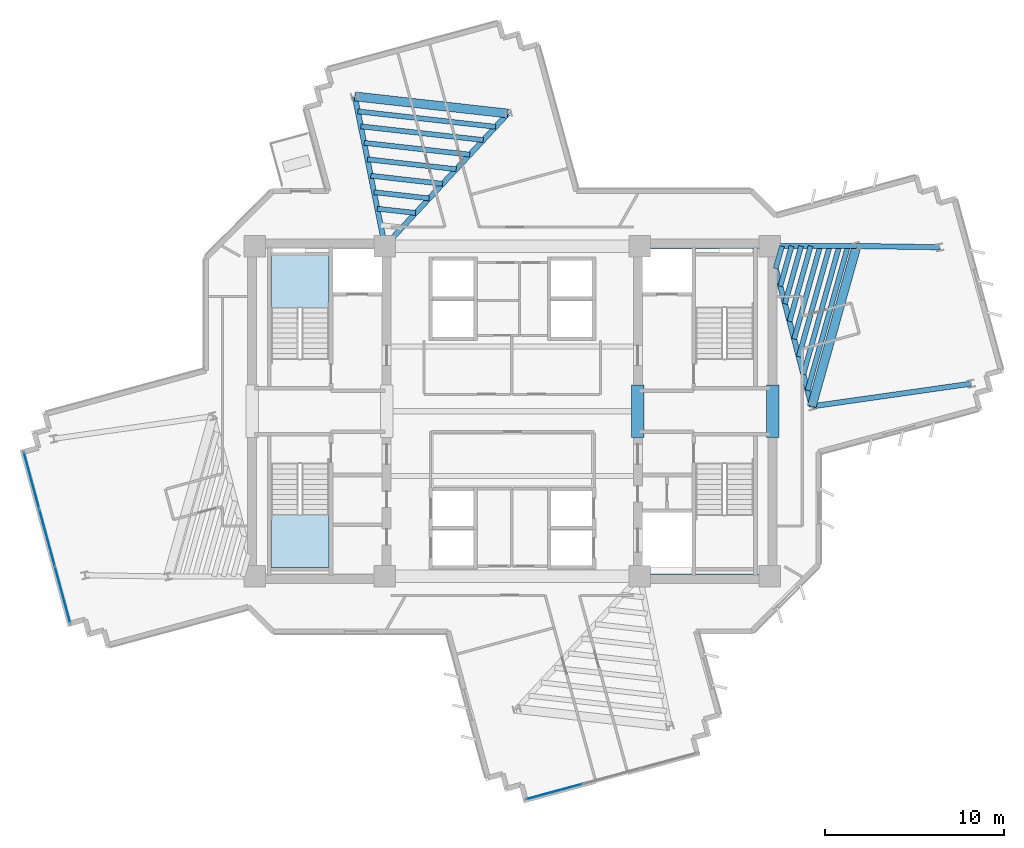
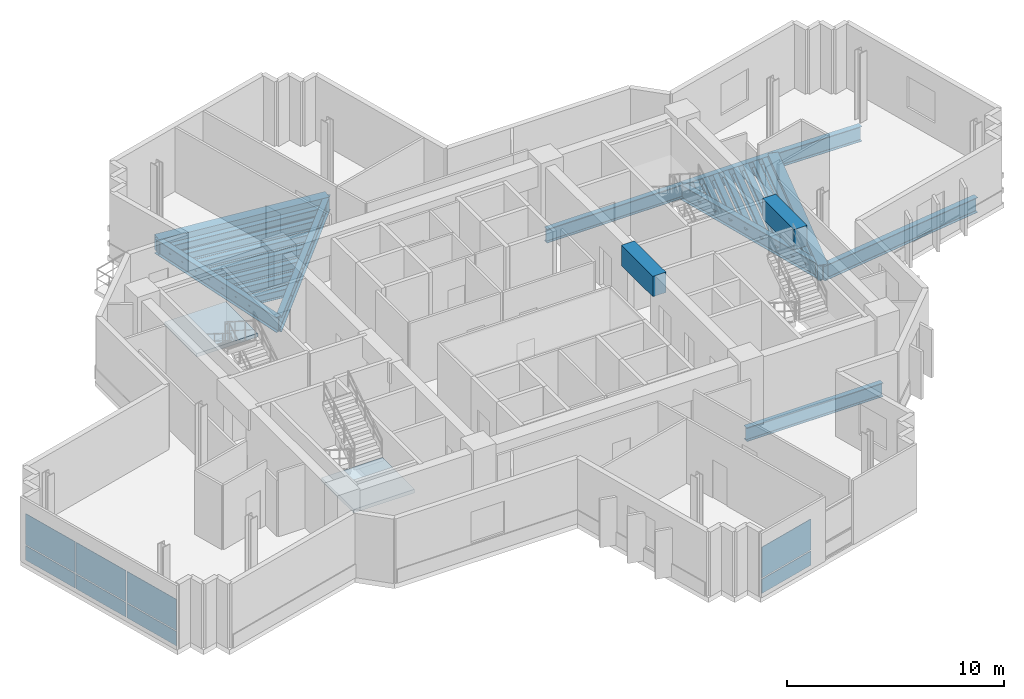
# One storey, part 6 of 15: 27 beams, 8 plates, 2 slabs, 4 elements without a shape of their own.
"""IFC4 building model written with IfcOpenShell, lengths in metres."""

from ifc_helpers import new_model, si_unit, direction, frame, origin, origin_2d, place, context, subcontext, project, spatial, polyline, rectangle, i_section, outline, extrude, source, transform, mapped, material, layer, layer_set, material_profile, profile_set, type_object, element, aggregate, save


model = new_model("IFC4")

# Units and contexts
model_context = context("Model", 3, precision=1e-05, world=origin(), true_north=direction((0.0, 1.0)))
body_context = subcontext(model_context, "Body", "Model", "MODEL_VIEW")
ifc_project = project(units=[si_unit("LENGTHUNIT", "METRE"), si_unit("AREAUNIT", "SQUARE_METRE"), si_unit("VOLUMEUNIT", "CUBIC_METRE"), si_unit("PLANEANGLEUNIT", "RADIAN"), si_unit("MASSUNIT", "GRAM", prefix="KILO")], contexts=[model_context])

# Site, building, storey
site_placement = place(None, origin())
site = spatial("IfcSite", under=ifc_project, at=site_placement, CompositionType="ELEMENT")
building_placement = place(site_placement, origin())
building = spatial("IfcBuilding", under=site, at=building_placement, Name="Zahravan Cultural Tower", CompositionType="ELEMENT")
storey_placement = place(building_placement, frame((0.0, 0.0, 194.10009765625)))
storey = spatial("IfcBuildingStorey", under=building, at=storey_placement, Name="L45", CompositionType="ELEMENT", Elevation=194.10009765625)

# Beams
ifc_material_1 = material(Name="Concrete C50/60", Category="concrete")
ifc_material_profile_1 = material_profile(ifc_material_1, rectangle(XDim=0.699951171875, YDim=1.14990234375, at=origin_2d()), Name="RC700X1150")
ifc_profile_set_1 = profile_set([ifc_material_profile_1], Name="Concrete C50/60")
beam_type_1 = type_object("IfcBeamType", Name="BM-LN-RC700X1150", PredefinedType="LINTEL", material=ifc_profile_set_1)
shared_shape_1 = source(origin(), body_context, "Body", "SweptSolid", [
    extrude(rectangle(XDim=0.699951171875, YDim=1.14990234375, at=origin_2d()), origin(), (0.0, 0.0, 1.0), 2.89990234375),
])
for number, where, z_axis, x_axis, name in (
    (1, (43.0, 25.550048828125, 3.044921875), (0.0, 1.0, 0.0), (-1.0, 0.0, 0.0), "L45 Beam LN-L45-PEW"),
    (2, (50.5, 25.550048828125, 3.044921875), (0.0, 1.0, 0.0), (-1.0, 0.0, 0.0), "L45 Beam LN-L45-PEE"),
):
    element("IfcBeam", number, at=place(storey_placement, frame(where, z_axis=z_axis, x_axis=x_axis)), inside=storey, type_object=beam_type_1, Name=name, PredefinedType="LINTEL", context=body_context, shape_type="MappedRepresentation", body=[
        mapped(shared_shape_1, transform((0.0, 0.0, 0.0), x_axis=(1.0, 0.0, 0.0), y_axis=(0.0, 1.0, 0.0), z_axis=(0.0, 0.0, 1.0), scale=1.0)),
    ])
ifc_material_2 = material(Name="Steel ASTM A992 Grade 50", Category="steel")
ifc_material_profile_2 = material_profile(ifc_material_2, i_section(OverallWidth=0.26611328125, OverallDepth=0.780029296875, WebThickness=0.0166015625, FlangeThickness=0.030029296875, FilletRadius=0.01904296875, at=origin_2d()), Name="W30X148")
ifc_profile_set_2 = profile_set([ifc_material_profile_2], Name="Steel ASTM A992 Grade 50")
beam_type_2 = type_object("IfcBeamType", Name="BM-G-W30X148", PredefinedType="BEAM", material=ifc_profile_set_2)
shared_shape_2 = source(origin(), body_context, "Body", "SweptSolid", [
    extrude(i_section(OverallWidth=0.26611328125, OverallDepth=0.780029296875, WebThickness=0.0166015625, FlangeThickness=0.030029296875, FilletRadius=0.01904296875, at=origin_2d()), origin(), (0.0, 0.0, 1.0), 7.25),
])
for number, where, z_axis, x_axis, name in (
    (3, (43.10009765625, 17.800048828125, -0.670166015625), (1.0, 0.0, 0.0), (0.0, 1.0, 0.0), "L45 Beam BG-L45-04"),
    (4, (43.10009765625, 36.199951171875, -0.670166015625), (1.0, 0.0, 0.0), (0.0, 1.0, 0.0), "L45 Beam BG-L45-05"),
):
    element("IfcBeam", number, at=place(storey_placement, frame(where, z_axis=z_axis, x_axis=x_axis)), inside=storey, type_object=beam_type_2, Name=name, PredefinedType="BEAM", context=body_context, shape_type="MappedRepresentation", body=[
        mapped(shared_shape_2, transform((0.0, 0.0, 0.0), x_axis=(1.0, 0.0, 0.0), y_axis=(0.0, 1.0, 0.0), z_axis=(0.0, 0.0, 1.0), scale=1.0)),
    ])
ifc_material_profile_3 = material_profile(ifc_material_1, rectangle(XDim=0.5, YDim=0.85009765625, at=origin_2d()), Name="RC500X850")
ifc_profile_set_3 = profile_set([ifc_material_profile_3], Name="Concrete C50/60")
beam_type_3 = type_object("IfcBeamType", Name="BM-SP-RC500X850", PredefinedType="SPANDREL", material=ifc_profile_set_3)
shared_shape_3 = source(origin(), body_context, "Body", "SweptSolid", [
    extrude(rectangle(XDim=0.5, YDim=0.85009765625, at=origin_2d()), origin(), (0.0, 0.0, 1.0), 9.2783203125),
])
beam_1_placement = place(storey_placement, frame((52.684326171875, 27.27099609375, -0.705078125), z_axis=(0.269497187032, 0.963001176625, 0.0), x_axis=(-0.963001176625, 0.269497187032, 0.0)))
element("IfcBeam", 5, at=beam_1_placement, inside=storey, type_object=beam_type_3, Name="L45 Beam SP-L45-21", PredefinedType="SPANDREL", context=body_context, shape_type="MappedRepresentation", body=[
    mapped(shared_shape_3, transform((0.0, 0.0, 0.0), x_axis=(1.0, 0.0, 0.0), y_axis=(0.0, 1.0, 0.0), z_axis=(0.0, 0.0, 1.0), scale=1.0)),
])
shared_shape_4 = source(origin(), body_context, "Body", "SweptSolid", [
    extrude(rectangle(XDim=0.5, YDim=0.85009765625, at=origin_2d()), origin(), (0.0, 0.0, 1.0), 8.579833984375),
])
beam_2_placement = place(storey_placement, frame((35.754638671875, 43.587646484375, -0.705078125), z_axis=(-0.9938040105, 0.11114669907, 0.0), x_axis=(-0.11114669907, -0.9938040105, 0.0)))
element("IfcBeam", 6, at=beam_2_placement, inside=storey, type_object=beam_type_3, Name="L45 Beam SP-L45-22", PredefinedType="SPANDREL", context=body_context, shape_type="MappedRepresentation", body=[
    mapped(shared_shape_4, transform((0.0, 0.0, 0.0), x_axis=(1.0, 0.0, 0.0), y_axis=(0.0, 1.0, 0.0), z_axis=(0.0, 0.0, 1.0), scale=1.0)),
])
ifc_material_profile_4 = material_profile(ifc_material_2, i_section(OverallWidth=0.29296875, OverallDepth=0.845947265625, WebThickness=0.015380859375, FlangeThickness=0.0244140625, FilletRadius=0.02001953125, at=origin_2d()), Name="W33X141")
ifc_profile_set_4 = profile_set([ifc_material_profile_4], Name="Steel ASTM A992 Grade 50")
beam_type_4 = type_object("IfcBeamType", Name="BM-G-W33X141", PredefinedType="BEAM", material=ifc_profile_set_4)
shared_shape_5 = source(origin(), body_context, "Body", "SweptSolid", [
    extrude(i_section(OverallWidth=0.29296875, OverallDepth=0.845947265625, WebThickness=0.015380859375, FlangeThickness=0.0244140625, FilletRadius=0.02001953125, at=origin_2d()), origin(), (0.0, 0.0, 1.0), 9.22900390625),
])
beam_3_placement = place(storey_placement, frame((50.35009765625, 36.199951171875, -0.703125), z_axis=(0.252922608408, -0.967486513682, 0.0), x_axis=(0.967486513682, 0.252922608408, 0.0)))
element("IfcBeam", 7, at=beam_3_placement, inside=storey, type_object=beam_type_4, Name="L45 Beam BG-L45-11", PredefinedType="BEAM", context=body_context, shape_type="MappedRepresentation", body=[
    mapped(shared_shape_5, transform((0.0, 0.0, 0.0), x_axis=(1.0, 0.0, 0.0), y_axis=(0.0, 1.0, 0.0), z_axis=(0.0, 0.0, 1.0), scale=1.0)),
])
shared_shape_6 = source(origin(), body_context, "Body", "SweptSolid", [
    extrude(i_section(OverallWidth=0.29296875, OverallDepth=0.845947265625, WebThickness=0.015380859375, FlangeThickness=0.0244140625, FilletRadius=0.02001953125, at=origin_2d()), origin(), (0.0, 0.0, 1.0), 4.834716796875),
])
beam_4_placement = place(storey_placement, frame((50.35009765625, 36.199951171875, -0.703125), z_axis=(0.99999920313, 0.001262433979, 0.0), x_axis=(-0.001262433979, 0.99999920313, 0.0)))
element("IfcBeam", 8, at=beam_4_placement, inside=storey, type_object=beam_type_4, Name="L45 Beam BG-L45-12", PredefinedType="BEAM", context=body_context, shape_type="MappedRepresentation", body=[
    mapped(shared_shape_6, transform((0.0, 0.0, 0.0), x_axis=(1.0, 0.0, 0.0), y_axis=(0.0, 1.0, 0.0), z_axis=(0.0, 0.0, 1.0), scale=1.0)),
])
shared_shape_7 = source(origin(), body_context, "Body", "SweptSolid", [
    extrude(i_section(OverallWidth=0.29296875, OverallDepth=0.845947265625, WebThickness=0.015380859375, FlangeThickness=0.0244140625, FilletRadius=0.02001953125, at=origin_2d()), origin(), (0.0, 0.0, 1.0), 10.077880859375),
])
beam_5_placement = place(storey_placement, frame((28.89990234375, 36.199951171875, -0.703125), z_axis=(0.680170435587, 0.733054007938, 0.0), x_axis=(-0.733054007938, 0.680170435587, 0.0)))
element("IfcBeam", 9, at=beam_5_placement, inside=storey, type_object=beam_type_4, Name="L45 Beam BG-L45-13", PredefinedType="BEAM", context=body_context, shape_type="MappedRepresentation", body=[
    mapped(shared_shape_7, transform((0.0, 0.0, 0.0), x_axis=(1.0, 0.0, 0.0), y_axis=(0.0, 1.0, 0.0), z_axis=(0.0, 0.0, 1.0), scale=1.0)),
])
shared_shape_8 = source(origin(), body_context, "Body", "SweptSolid", [
    extrude(i_section(OverallWidth=0.29296875, OverallDepth=0.845947265625, WebThickness=0.015380859375, FlangeThickness=0.0244140625, FilletRadius=0.02001953125, at=origin_2d()), origin(), (0.0, 0.0, 1.0), 8.50732421875),
])
beam_6_placement = place(storey_placement, frame((28.89990234375, 36.199951171875, -0.703125), z_axis=(-0.196524514012, 0.980498911469, 0.0), x_axis=(-0.980498911469, -0.196524514012, 0.0)))
element("IfcBeam", 10, at=beam_6_placement, inside=storey, type_object=beam_type_4, Name="L45 Beam BG-L45-14", PredefinedType="BEAM", context=body_context, shape_type="MappedRepresentation", body=[
    mapped(shared_shape_8, transform((0.0, 0.0, 0.0), x_axis=(1.0, 0.0, 0.0), y_axis=(0.0, 1.0, 0.0), z_axis=(0.0, 0.0, 1.0), scale=1.0)),
])
shared_shape_9 = source(origin(), body_context, "Body", "SweptSolid", [
    extrude(i_section(OverallWidth=0.29296875, OverallDepth=0.845947265625, WebThickness=0.015380859375, FlangeThickness=0.0244140625, FilletRadius=0.02001953125, at=origin_2d()), origin(), (0.0, 0.0, 1.0), 8.9580078125),
])
beam_7_placement = place(storey_placement, frame((52.684326171875, 27.27099609375, -0.703125), z_axis=(0.990000122431, 0.141066500584, 0.0), x_axis=(-0.141066500584, 0.990000122431, 0.0)))
element("IfcBeam", 11, at=beam_7_placement, inside=storey, type_object=beam_type_4, Name="L45 Beam BG-L45-15", PredefinedType="BEAM", context=body_context, shape_type="MappedRepresentation", body=[
    mapped(shared_shape_9, transform((0.0, 0.0, 0.0), x_axis=(1.0, 0.0, 0.0), y_axis=(0.0, 1.0, 0.0), z_axis=(0.0, 0.0, 1.0), scale=1.0)),
])
shared_shape_10 = source(origin(), body_context, "Body", "SweptSolid", [
    extrude(i_section(OverallWidth=0.29296875, OverallDepth=0.845947265625, WebThickness=0.015380859375, FlangeThickness=0.0244140625, FilletRadius=0.02001953125, at=origin_2d()), origin(), (0.0, 0.0, 1.0), 4.622314453125),
])
beam_8_placement = place(storey_placement, frame((55.184814453125, 36.2060546875, -0.703125), z_axis=(0.999889070044, -0.014894549562, 0.0), x_axis=(0.014894549562, 0.999889070044, 0.0)))
element("IfcBeam", 12, at=beam_8_placement, inside=storey, type_object=beam_type_4, Name="L45 Beam BG-L45-16", PredefinedType="BEAM", context=body_context, shape_type="MappedRepresentation", body=[
    mapped(shared_shape_10, transform((0.0, 0.0, 0.0), x_axis=(1.0, 0.0, 0.0), y_axis=(0.0, 1.0, 0.0), z_axis=(0.0, 0.0, 1.0), scale=1.0)),
])
ifc_material_profile_5 = material_profile(ifc_material_2, i_section(OverallWidth=0.280029296875, OverallDepth=0.462890625, WebThickness=0.0107421875, FlangeThickness=0.017333984375, FilletRadius=0.012939453125, at=origin_2d()), Name="W18X76")
ifc_profile_set_5 = profile_set([ifc_material_profile_5], Name="Steel ASTM A992 Grade 50")
beam_type_5 = type_object("IfcBeamType", Name="BM-J-W18X76", PredefinedType="JOIST", material=ifc_profile_set_5)
shared_shape_11 = source(origin(), body_context, "Body", "SweptSolid", [
    extrude(i_section(OverallWidth=0.280029296875, OverallDepth=0.462890625, WebThickness=0.0107421875, FlangeThickness=0.017333984375, FilletRadius=0.012939453125, at=origin_2d()), origin(), (0.0, 0.0, 1.0), 1.299072265625),
])
beam_9_placement = place(storey_placement, frame((50.6767578125, 34.949951171875, -0.51171875), z_axis=(0.269504444708, 0.962999145525, 0.0), x_axis=(-0.962999145525, 0.269504444708, 0.0)))
element("IfcBeam", 13, at=beam_9_placement, inside=storey, type_object=beam_type_5, Name="L45 Beam BJ-L45-42", PredefinedType="JOIST", context=body_context, shape_type="MappedRepresentation", body=[
    mapped(shared_shape_11, transform((0.0, 0.0, 0.0), x_axis=(1.0, 0.0, 0.0), y_axis=(0.0, 1.0, 0.0), z_axis=(0.0, 0.0, 1.0), scale=1.0)),
])
shared_shape_12 = source(origin(), body_context, "Body", "SweptSolid", [
    extrude(i_section(OverallWidth=0.280029296875, OverallDepth=0.462890625, WebThickness=0.0107421875, FlangeThickness=0.017333984375, FilletRadius=0.012939453125, at=origin_2d()), origin(), (0.0, 0.0, 1.0), 2.3193359375),
])
beam_10_placement = place(storey_placement, frame((50.93359375, 33.9677734375, -0.51171875), z_axis=(0.269462038626, 0.963011012263, 0.0), x_axis=(-0.963011012263, 0.269462038626, 0.0)))
element("IfcBeam", 14, at=beam_10_placement, inside=storey, type_object=beam_type_5, Name="L45 Beam BJ-L45-43", PredefinedType="JOIST", context=body_context, shape_type="MappedRepresentation", body=[
    mapped(shared_shape_12, transform((0.0, 0.0, 0.0), x_axis=(1.0, 0.0, 0.0), y_axis=(0.0, 1.0, 0.0), z_axis=(0.0, 0.0, 1.0), scale=1.0)),
])
shared_shape_13 = source(origin(), body_context, "Body", "SweptSolid", [
    extrude(i_section(OverallWidth=0.280029296875, OverallDepth=0.462890625, WebThickness=0.0107421875, FlangeThickness=0.017333984375, FilletRadius=0.012939453125, at=origin_2d()), origin(), (0.0, 0.0, 1.0), 3.340087890625),
])
beam_11_placement = place(storey_placement, frame((51.190185546875, 32.985595703125, -0.51171875), z_axis=(0.269562146951, 0.962982995141, 0.0), x_axis=(-0.962982995141, 0.269562146951, 0.0)))
element("IfcBeam", 15, at=beam_11_placement, inside=storey, type_object=beam_type_5, Name="L45 Beam BJ-L45-44", PredefinedType="JOIST", context=body_context, shape_type="MappedRepresentation", body=[
    mapped(shared_shape_13, transform((0.0, 0.0, 0.0), x_axis=(1.0, 0.0, 0.0), y_axis=(0.0, 1.0, 0.0), z_axis=(0.0, 0.0, 1.0), scale=1.0)),
])
shared_shape_14 = source(origin(), body_context, "Body", "SweptSolid", [
    extrude(i_section(OverallWidth=0.280029296875, OverallDepth=0.462890625, WebThickness=0.0107421875, FlangeThickness=0.017333984375, FilletRadius=0.012939453125, at=origin_2d()), origin(), (0.0, 0.0, 1.0), 4.36083984375),
])
beam_12_placement = place(storey_placement, frame((51.447021484375, 32.00341796875, -0.51171875), z_axis=(0.269511557673, 0.962997154866, 0.0), x_axis=(-0.962997154866, 0.269511557673, 0.0)))
element("IfcBeam", 16, at=beam_12_placement, inside=storey, type_object=beam_type_5, Name="L45 Beam BJ-L45-45", PredefinedType="JOIST", context=body_context, shape_type="MappedRepresentation", body=[
    mapped(shared_shape_14, transform((0.0, 0.0, 0.0), x_axis=(1.0, 0.0, 0.0), y_axis=(0.0, 1.0, 0.0), z_axis=(0.0, 0.0, 1.0), scale=1.0)),
])
shared_shape_15 = source(origin(), body_context, "Body", "SweptSolid", [
    extrude(i_section(OverallWidth=0.280029296875, OverallDepth=0.462890625, WebThickness=0.0107421875, FlangeThickness=0.017333984375, FilletRadius=0.012939453125, at=origin_2d()), origin(), (0.0, 0.0, 1.0), 5.3818359375),
])
beam_13_placement = place(storey_placement, frame((51.703857421875, 31.02099609375, -0.51171875), z_axis=(0.269510454638, 0.962997463569, 0.0), x_axis=(-0.962997463569, 0.269510454638, 0.0)))
element("IfcBeam", 17, at=beam_13_placement, inside=storey, type_object=beam_type_5, Name="L45 Beam BJ-L45-46", PredefinedType="JOIST", context=body_context, shape_type="MappedRepresentation", body=[
    mapped(shared_shape_15, transform((0.0, 0.0, 0.0), x_axis=(1.0, 0.0, 0.0), y_axis=(0.0, 1.0, 0.0), z_axis=(0.0, 0.0, 1.0), scale=1.0)),
])
shared_shape_16 = source(origin(), body_context, "Body", "SweptSolid", [
    extrude(i_section(OverallWidth=0.280029296875, OverallDepth=0.462890625, WebThickness=0.0107421875, FlangeThickness=0.017333984375, FilletRadius=0.012939453125, at=origin_2d()), origin(), (0.0, 0.0, 1.0), 6.402099609375),
])
beam_14_placement = place(storey_placement, frame((51.960693359375, 30.038818359375, -0.51171875), z_axis=(0.269494133533, 0.963002031146, 0.0), x_axis=(-0.963002031146, 0.269494133533, 0.0)))
element("IfcBeam", 18, at=beam_14_placement, inside=storey, type_object=beam_type_5, Name="L45 Beam BJ-L45-47", PredefinedType="JOIST", context=body_context, shape_type="MappedRepresentation", body=[
    mapped(shared_shape_16, transform((0.0, 0.0, 0.0), x_axis=(1.0, 0.0, 0.0), y_axis=(0.0, 1.0, 0.0), z_axis=(0.0, 0.0, 1.0), scale=1.0)),
])
shared_shape_17 = source(origin(), body_context, "Body", "SweptSolid", [
    extrude(i_section(OverallWidth=0.280029296875, OverallDepth=0.462890625, WebThickness=0.0107421875, FlangeThickness=0.017333984375, FilletRadius=0.012939453125, at=origin_2d()), origin(), (0.0, 0.0, 1.0), 7.4228515625),
])
beam_15_placement = place(storey_placement, frame((52.21728515625, 29.056640625, -0.51171875), z_axis=(0.269504266128, 0.962999195503, 0.0), x_axis=(-0.962999195503, 0.269504266128, 0.0)))
element("IfcBeam", 19, at=beam_15_placement, inside=storey, type_object=beam_type_5, Name="L45 Beam BJ-L45-48", PredefinedType="JOIST", context=body_context, shape_type="MappedRepresentation", body=[
    mapped(shared_shape_17, transform((0.0, 0.0, 0.0), x_axis=(1.0, 0.0, 0.0), y_axis=(0.0, 1.0, 0.0), z_axis=(0.0, 0.0, 1.0), scale=1.0)),
])
shared_shape_18 = source(origin(), body_context, "Body", "SweptSolid", [
    extrude(i_section(OverallWidth=0.280029296875, OverallDepth=0.462890625, WebThickness=0.0107421875, FlangeThickness=0.017333984375, FilletRadius=0.012939453125, at=origin_2d()), origin(), (0.0, 0.0, 1.0), 8.350830078125),
])
beam_16_placement = place(storey_placement, frame((52.450927734375, 28.163818359375, -0.51171875), z_axis=(0.269496539555, 0.963001357822, 0.0), x_axis=(-0.963001357822, 0.269496539555, 0.0)))
element("IfcBeam", 20, at=beam_16_placement, inside=storey, type_object=beam_type_5, Name="L45 Beam BJ-L45-49", PredefinedType="JOIST", context=body_context, shape_type="MappedRepresentation", body=[
    mapped(shared_shape_18, transform((0.0, 0.0, 0.0), x_axis=(1.0, 0.0, 0.0), y_axis=(0.0, 1.0, 0.0), z_axis=(0.0, 0.0, 1.0), scale=1.0)),
])
shared_shape_19 = source(origin(), body_context, "Body", "SweptSolid", [
    extrude(i_section(OverallWidth=0.280029296875, OverallDepth=0.462890625, WebThickness=0.0107421875, FlangeThickness=0.017333984375, FilletRadius=0.012939453125, at=origin_2d()), origin(), (0.0, 0.0, 1.0), 2.144775390625),
])
beam_17_placement = place(storey_placement, frame((30.613525390625, 38.046875, -0.51171875), z_axis=(-0.993797370806, 0.111206051, 0.0), x_axis=(-0.111206051, -0.993797370806, 0.0)))
element("IfcBeam", 21, at=beam_17_placement, inside=storey, type_object=beam_type_5, Name="L45 Beam BJ-L45-51", PredefinedType="JOIST", context=body_context, shape_type="MappedRepresentation", body=[
    mapped(shared_shape_19, transform((0.0, 0.0, 0.0), x_axis=(1.0, 0.0, 0.0), y_axis=(0.0, 1.0, 0.0), z_axis=(0.0, 0.0, 1.0), scale=1.0)),
])
shared_shape_20 = source(origin(), body_context, "Body", "SweptSolid", [
    extrude(i_section(OverallWidth=0.280029296875, OverallDepth=0.462890625, WebThickness=0.0107421875, FlangeThickness=0.017333984375, FilletRadius=0.012939453125, at=origin_2d()), origin(), (0.0, 0.0, 1.0), 3.088623046875),
])
beam_18_placement = place(storey_placement, frame((31.36767578125, 38.859619140625, -0.51171875), z_axis=(-0.993805407368, 0.111134208443, 0.0), x_axis=(-0.111134208443, -0.993805407368, 0.0)))
element("IfcBeam", 22, at=beam_18_placement, inside=storey, type_object=beam_type_5, Name="L45 Beam BJ-L45-52", PredefinedType="JOIST", context=body_context, shape_type="MappedRepresentation", body=[
    mapped(shared_shape_20, transform((0.0, 0.0, 0.0), x_axis=(1.0, 0.0, 0.0), y_axis=(0.0, 1.0, 0.0), z_axis=(0.0, 0.0, 1.0), scale=1.0)),
])
shared_shape_21 = source(origin(), body_context, "Body", "SweptSolid", [
    extrude(i_section(OverallWidth=0.280029296875, OverallDepth=0.462890625, WebThickness=0.0107421875, FlangeThickness=0.017333984375, FilletRadius=0.012939453125, at=origin_2d()), origin(), (0.0, 0.0, 1.0), 4.0322265625),
])
beam_19_placement = place(storey_placement, frame((32.12158203125, 39.672119140625, -0.51171875), z_axis=(-0.993802245601, 0.11116247855, 0.0), x_axis=(-0.11116247855, -0.993802245601, 0.0)))
element("IfcBeam", 23, at=beam_19_placement, inside=storey, type_object=beam_type_5, Name="L45 Beam BJ-L45-53", PredefinedType="JOIST", context=body_context, shape_type="MappedRepresentation", body=[
    mapped(shared_shape_21, transform((0.0, 0.0, 0.0), x_axis=(1.0, 0.0, 0.0), y_axis=(0.0, 1.0, 0.0), z_axis=(0.0, 0.0, 1.0), scale=1.0)),
])
shared_shape_22 = source(origin(), body_context, "Body", "SweptSolid", [
    extrude(i_section(OverallWidth=0.280029296875, OverallDepth=0.462890625, WebThickness=0.0107421875, FlangeThickness=0.017333984375, FilletRadius=0.012939453125, at=origin_2d()), origin(), (0.0, 0.0, 1.0), 4.97607421875),
])
beam_20_placement = place(storey_placement, frame((32.875732421875, 40.48486328125, -0.51171875), z_axis=(-0.993806308517, 0.111126149723, 0.0), x_axis=(-0.111126149723, -0.993806308517, 0.0)))
element("IfcBeam", 24, at=beam_20_placement, inside=storey, type_object=beam_type_5, Name="L45 Beam BJ-L45-54", PredefinedType="JOIST", context=body_context, shape_type="MappedRepresentation", body=[
    mapped(shared_shape_22, transform((0.0, 0.0, 0.0), x_axis=(1.0, 0.0, 0.0), y_axis=(0.0, 1.0, 0.0), z_axis=(0.0, 0.0, 1.0), scale=1.0)),
])
shared_shape_23 = source(origin(), body_context, "Body", "SweptSolid", [
    extrude(i_section(OverallWidth=0.280029296875, OverallDepth=0.462890625, WebThickness=0.0107421875, FlangeThickness=0.017333984375, FilletRadius=0.012939453125, at=origin_2d()), origin(), (0.0, 0.0, 1.0), 5.919921875),
])
beam_21_placement = place(storey_placement, frame((33.629638671875, 41.29736328125, -0.51171875), z_axis=(-0.993804520866, 0.111142135602, 0.0), x_axis=(-0.111142135602, -0.993804520866, 0.0)))
element("IfcBeam", 25, at=beam_21_placement, inside=storey, type_object=beam_type_5, Name="L45 Beam BJ-L45-55", PredefinedType="JOIST", context=body_context, shape_type="MappedRepresentation", body=[
    mapped(shared_shape_23, transform((0.0, 0.0, 0.0), x_axis=(1.0, 0.0, 0.0), y_axis=(0.0, 1.0, 0.0), z_axis=(0.0, 0.0, 1.0), scale=1.0)),
])
shared_shape_24 = source(origin(), body_context, "Body", "SweptSolid", [
    extrude(i_section(OverallWidth=0.280029296875, OverallDepth=0.462890625, WebThickness=0.0107421875, FlangeThickness=0.017333984375, FilletRadius=0.012939453125, at=origin_2d()), origin(), (0.0, 0.0, 1.0), 6.86376953125),
])
beam_22_placement = place(storey_placement, frame((34.3837890625, 42.110107421875, -0.51171875), z_axis=(-0.993803224695, 0.111153725024, 0.0), x_axis=(-0.111153725024, -0.993803224695, 0.0)))
element("IfcBeam", 26, at=beam_22_placement, inside=storey, type_object=beam_type_5, Name="L45 Beam BJ-L45-56", PredefinedType="JOIST", context=body_context, shape_type="MappedRepresentation", body=[
    mapped(shared_shape_24, transform((0.0, 0.0, 0.0), x_axis=(1.0, 0.0, 0.0), y_axis=(0.0, 1.0, 0.0), z_axis=(0.0, 0.0, 1.0), scale=1.0)),
])
shared_shape_25 = source(origin(), body_context, "Body", "SweptSolid", [
    extrude(i_section(OverallWidth=0.280029296875, OverallDepth=0.462890625, WebThickness=0.0107421875, FlangeThickness=0.017333984375, FilletRadius=0.012939453125, at=origin_2d()), origin(), (0.0, 0.0, 1.0), 7.7216796875),
])
beam_23_placement = place(storey_placement, frame((35.069091796875, 42.848876953125, -0.51171875), z_axis=(-0.993805212115, 0.11113595446, 0.0), x_axis=(-0.11113595446, -0.993805212115, 0.0)))
element("IfcBeam", 27, at=beam_23_placement, inside=storey, type_object=beam_type_5, Name="L45 Beam BJ-L45-57", PredefinedType="JOIST", context=body_context, shape_type="MappedRepresentation", body=[
    mapped(shared_shape_25, transform((0.0, 0.0, 0.0), x_axis=(1.0, 0.0, 0.0), y_axis=(0.0, 1.0, 0.0), z_axis=(0.0, 0.0, 1.0), scale=1.0)),
])

# Stair, slab
ifc_material_3 = material(Name="Concrete C45/55", Category="concrete")
stair_type = type_object("IfcStairType", Name="STR-DL-1550-390", PredefinedType="HALF_TURN_STAIR", material=ifc_material_3)
stair_1_placement = place(storey_placement, origin())
stair_1 = element("IfcStair", 28, at=stair_1_placement, inside=storey, type_object=stair_type, Name="L45 West Core North Exit Stair ST-W1", PredefinedType="HALF_TURN_STAIR")
ifc_layer_1 = layer(ifc_material_3, 0.199951171875)
ifc_layer_set_1 = layer_set([ifc_layer_1], Name="Concrete C45/55")
slab_type = type_object("IfcSlabType", Name="SL-STAIR-LND200", PredefinedType="LANDING", material=ifc_layer_set_1)
slab_1_placement = place(storey_placement, frame((0.0, 0.0, 1.75)))
slab_1 = element("IfcSlab", 29, at=slab_1_placement, type_object=slab_type, Name="ST-W1 landing 1", PredefinedType="LANDING", context=body_context, shape_type="SweptSolid", body=[
    extrude(outline(polyline([(25.800048828125, 32.75), (25.800048828125, 35.699951171875), (22.550048828125, 35.699951171875), (22.550048828125, 32.75), (25.800048828125, 32.75)])), origin(), (0.0, 0.0, 1.0), 0.199951171875),
])
aggregate(stair_1, [slab_1])

stair_2_placement = place(storey_placement, origin())
stair_2 = element("IfcStair", 30, at=stair_2_placement, inside=storey, type_object=stair_type, Name="L45 West Core South Exit Stair ST-W2", PredefinedType="HALF_TURN_STAIR")
slab_2_placement = place(storey_placement, frame((0.0, 0.0, 1.75)))
slab_2 = element("IfcSlab", 31, at=slab_2_placement, type_object=slab_type, Name="ST-W2 landing 1", PredefinedType="LANDING", context=body_context, shape_type="SweptSolid", body=[
    extrude(outline(polyline([(22.550048828125, 21.25), (22.550048828125, 18.300048828125), (25.800048828125, 18.300048828125), (25.800048828125, 21.25), (22.550048828125, 21.25)])), origin(), (0.0, 0.0, 1.0), 0.199951171875),
])
aggregate(stair_2, [slab_2])

# Curtain wall, plates
ifc_material_4 = material(Name="Anodised bronze-aluminium mullion", Category="aluminium")
ifc_layer_2 = layer(ifc_material_4, 0.179931640625)
ifc_layer_set_2 = layer_set([ifc_layer_2], Name="Anodised bronze-aluminium mullion")
curtain_wall_type_1 = type_object("IfcCurtainWallType", Name="CW-SYS-3", PredefinedType="USERDEFINED", material=ifc_layer_set_2)
curtain_wall_1_placement = place(storey_placement, origin())
curtain_wall_1 = element("IfcCurtainWall", 32, at=curtain_wall_1_placement, inside=storey, type_object=curtain_wall_type_1, Name="L45 Recessed Curtain Wall CW-3.1", ObjectType="RECESSED GLAZING", PredefinedType="USERDEFINED")
ifc_material_5 = material(Name="Low-E solar-control double glazing", Category="glass")
ifc_layer_3 = layer(ifc_material_5, 0.028076171875)
ifc_layer_set_3 = layer_set([ifc_layer_3], Name="Low-E solar-control double glazing")
plate_type_1 = type_object("IfcPlateType", Name="CWP-CW-3", PredefinedType="CURTAIN_PANEL", material=ifc_layer_set_3)
shared_shape_26 = source(origin(), body_context, "Body", "SweptSolid", [
    extrude(rectangle(XDim=3.20166015625, YDim=0.028076171875, at=origin_2d()), origin(), (0.0, 0.0, 1.0), 0.794921875),
])
plate_1_placement = place(storey_placement, frame((38.34765625, 5.814453125, 0.06982421875), z_axis=(0.0, 0.0, 1.0), x_axis=(-0.96501717126, -0.262186687636, 0.0)))
plate_1 = element("IfcPlate", 33, at=plate_1_placement, type_object=plate_type_1, Name="CW-3 panel 3.1", PredefinedType="CURTAIN_PANEL", context=body_context, shape_type="MappedRepresentation", body=[
    mapped(shared_shape_26, transform((0.0, 0.0, 0.0), x_axis=(1.0, 0.0, 0.0), y_axis=(0.0, 1.0, 0.0), z_axis=(0.0, 0.0, 1.0), scale=1.0)),
])
shared_shape_27 = source(origin(), body_context, "Body", "SweptSolid", [
    extrude(rectangle(XDim=3.20166015625, YDim=0.028076171875, at=origin_2d()), origin(), (0.0, 0.0, 1.0), 1.735107421875),
])
plate_2_placement = place(storey_placement, frame((38.34765625, 5.814453125, 0.93505859375), z_axis=(0.0, 0.0, 1.0), x_axis=(-0.96501717126, -0.262186687636, 0.0)))
plate_2 = element("IfcPlate", 34, at=plate_2_placement, type_object=plate_type_1, Name="CW-3 panel 3.2", PredefinedType="CURTAIN_PANEL", context=body_context, shape_type="MappedRepresentation", body=[
    mapped(shared_shape_27, transform((0.0, 0.0, 0.0), x_axis=(1.0, 0.0, 0.0), y_axis=(0.0, 1.0, 0.0), z_axis=(0.0, 0.0, 1.0), scale=1.0)),
])
aggregate(curtain_wall_1, [plate_1, plate_2])

ifc_layer_4 = layer(ifc_material_4, 0.1650390625)
ifc_layer_set_4 = layer_set([ifc_layer_4], Name="Anodised bronze-aluminium mullion")
curtain_wall_type_2 = type_object("IfcCurtainWallType", Name="CW-SYS-4", PredefinedType="USERDEFINED", material=ifc_layer_set_4)
curtain_wall_2_placement = place(storey_placement, origin())
curtain_wall_2 = element("IfcCurtainWall", 35, at=curtain_wall_2_placement, inside=storey, type_object=curtain_wall_type_2, Name="L45 Recessed Curtain Wall CW-4.2", ObjectType="RECESSED GLAZING", PredefinedType="USERDEFINED")
ifc_layer_5 = layer(ifc_material_5, 0.02587890625)
ifc_layer_set_5 = layer_set([ifc_layer_5], Name="Low-E solar-control double glazing")
plate_type_2 = type_object("IfcPlateType", Name="CWP-CW-4", PredefinedType="CURTAIN_PANEL", material=ifc_layer_set_5)
shared_shape_28 = source(origin(), body_context, "Body", "SweptSolid", [
    extrude(rectangle(XDim=3.209228515625, YDim=0.02587890625, at=origin_2d()), origin(), (0.0, 0.0, 1.0), 0.802490234375),
])
plate_3_placement = place(storey_placement, frame((10.9423828125, 16.7822265625, 0.06494140625), z_axis=(0.0, 0.0, 1.0), x_axis=(-0.262186687636, 0.96501717126, 0.0)))
plate_3 = element("IfcPlate", 36, at=plate_3_placement, type_object=plate_type_2, Name="CW-4 panel 1.1", PredefinedType="CURTAIN_PANEL", context=body_context, shape_type="MappedRepresentation", body=[
    mapped(shared_shape_28, transform((0.0, 0.0, 0.0), x_axis=(1.0, 0.0, 0.0), y_axis=(0.0, 1.0, 0.0), z_axis=(0.0, 0.0, 1.0), scale=1.0)),
])
plate_4_placement = place(storey_placement, frame((9.217041015625, 23.1328125, 0.06494140625), z_axis=(0.0, 0.0, 1.0), x_axis=(-0.262186687636, 0.96501717126, 0.0)))
plate_4 = element("IfcPlate", 37, at=plate_4_placement, type_object=plate_type_2, Name="CW-4 panel 3.1", PredefinedType="CURTAIN_PANEL", context=body_context, shape_type="MappedRepresentation", body=[
    mapped(shared_shape_28, transform((0.0, 0.0, 0.0), x_axis=(1.0, 0.0, 0.0), y_axis=(0.0, 1.0, 0.0), z_axis=(0.0, 0.0, 1.0), scale=1.0)),
])
shared_shape_29 = source(origin(), body_context, "Body", "SweptSolid", [
    extrude(rectangle(XDim=3.209228515625, YDim=0.02587890625, at=origin_2d()), origin(), (0.0, 0.0, 1.0), 1.742431640625),
])
plate_5_placement = place(storey_placement, frame((10.9423828125, 16.7822265625, 0.9326171875), z_axis=(0.0, 0.0, 1.0), x_axis=(-0.262186687636, 0.96501717126, 0.0)))
plate_5 = element("IfcPlate", 38, at=plate_5_placement, type_object=plate_type_2, Name="CW-4 panel 1.2", PredefinedType="CURTAIN_PANEL", context=body_context, shape_type="MappedRepresentation", body=[
    mapped(shared_shape_29, transform((0.0, 0.0, 0.0), x_axis=(1.0, 0.0, 0.0), y_axis=(0.0, 1.0, 0.0), z_axis=(0.0, 0.0, 1.0), scale=1.0)),
])
plate_6_placement = place(storey_placement, frame((9.217041015625, 23.1328125, 0.9326171875), z_axis=(0.0, 0.0, 1.0), x_axis=(-0.262186687636, 0.96501717126, 0.0)))
plate_6 = element("IfcPlate", 39, at=plate_6_placement, type_object=plate_type_2, Name="CW-4 panel 3.2", PredefinedType="CURTAIN_PANEL", context=body_context, shape_type="MappedRepresentation", body=[
    mapped(shared_shape_29, transform((0.0, 0.0, 0.0), x_axis=(1.0, 0.0, 0.0), y_axis=(0.0, 1.0, 0.0), z_axis=(0.0, 0.0, 1.0), scale=1.0)),
])
shared_shape_30 = source(origin(), body_context, "Body", "SweptSolid", [
    extrude(rectangle(XDim=3.24169921875, YDim=0.02587890625, at=origin_2d()), origin(), (0.0, 0.0, 1.0), 0.802490234375),
])
plate_7_placement = place(storey_placement, frame((10.07958984375, 19.95751953125, 0.06494140625), z_axis=(0.0, 0.0, 1.0), x_axis=(-0.262186687636, 0.96501717126, 0.0)))
plate_7 = element("IfcPlate", 40, at=plate_7_placement, type_object=plate_type_2, Name="CW-4 panel 2.1", PredefinedType="CURTAIN_PANEL", context=body_context, shape_type="MappedRepresentation", body=[
    mapped(shared_shape_30, transform((0.0, 0.0, 0.0), x_axis=(1.0, 0.0, 0.0), y_axis=(0.0, 1.0, 0.0), z_axis=(0.0, 0.0, 1.0), scale=1.0)),
])
shared_shape_31 = source(origin(), body_context, "Body", "SweptSolid", [
    extrude(rectangle(XDim=3.24169921875, YDim=0.02587890625, at=origin_2d()), origin(), (0.0, 0.0, 1.0), 1.742431640625),
])
plate_8_placement = place(storey_placement, frame((10.07958984375, 19.95751953125, 0.9326171875), z_axis=(0.0, 0.0, 1.0), x_axis=(-0.262186687636, 0.96501717126, 0.0)))
plate_8 = element("IfcPlate", 41, at=plate_8_placement, type_object=plate_type_2, Name="CW-4 panel 2.2", PredefinedType="CURTAIN_PANEL", context=body_context, shape_type="MappedRepresentation", body=[
    mapped(shared_shape_31, transform((0.0, 0.0, 0.0), x_axis=(1.0, 0.0, 0.0), y_axis=(0.0, 1.0, 0.0), z_axis=(0.0, 0.0, 1.0), scale=1.0)),
])
aggregate(curtain_wall_2, [plate_3, plate_5, plate_7, plate_8, plate_4, plate_6])

save(model, "model.ifc")
